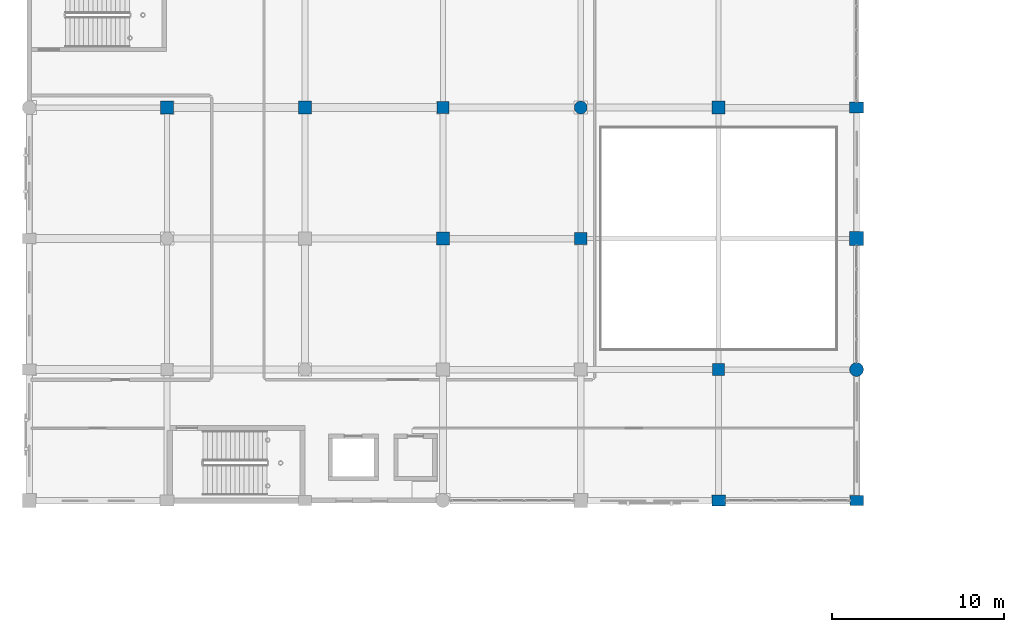
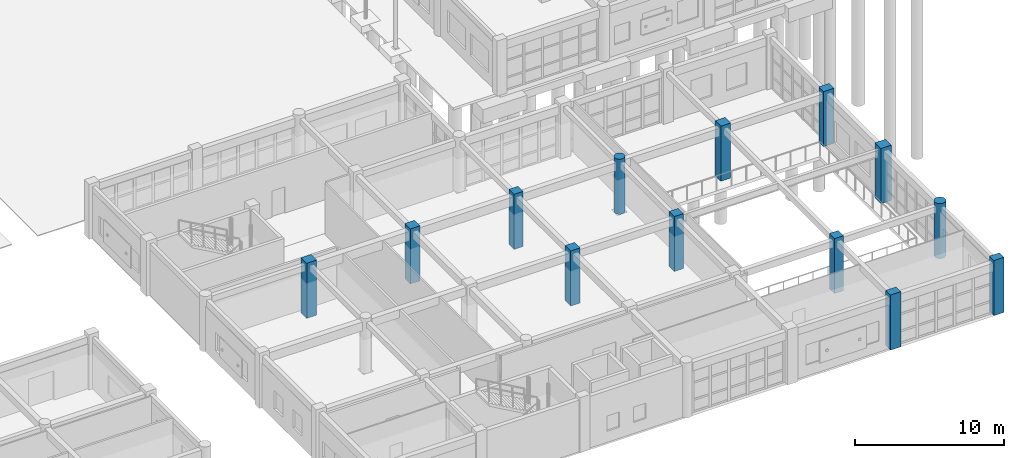
# One storey, part 40 of 166: 13 columns.
"""IFC4 building model written with IfcOpenShell, lengths in metres."""

from ifc_helpers import new_model, si_unit, direction, frame, origin, origin_2d, place, context, subcontext, project, spatial, rectangle, circle, extrude, material, material_profile, profile_set, type_object, element, save


model = new_model("IFC4")

# Units and contexts
model_context = context("Model", 3, precision=1e-05, world=origin(), true_north=direction((0.0, 1.0)))
body_context = subcontext(model_context, "Body", "Model", "MODEL_VIEW")
ifc_project = project(units=[si_unit("LENGTHUNIT", "METRE"), si_unit("AREAUNIT", "SQUARE_METRE"), si_unit("VOLUMEUNIT", "CUBIC_METRE"), si_unit("PLANEANGLEUNIT", "RADIAN"), si_unit("MASSUNIT", "GRAM", prefix="KILO")], contexts=[model_context])

# Site, building, storey
site_placement = place(None, origin())
site = spatial("IfcSite", under=ifc_project, at=site_placement, CompositionType="ELEMENT")
building_placement = place(site_placement, origin())
building = spatial("IfcBuilding", under=site, at=building_placement, Name="Kharva Crest Polytechnic", CompositionType="ELEMENT")
storey_placement = place(building_placement, origin())
storey = spatial("IfcBuildingStorey", under=building, at=storey_placement, Name="L00", CompositionType="ELEMENT", Elevation=0.0)

# Columns
ifc_material = material(Name="Concrete C40/50", Category="concrete")
ifc_material_profile_1 = material_profile(ifc_material, rectangle(XDim=0.780029296875, YDim=0.60009765625, at=origin_2d()), Name="RECT 780 X 600")
ifc_profile_set_1 = profile_set([ifc_material_profile_1], Name="Concrete C40/50")
column_type_1 = type_object("IfcColumnType", Name="COL-EXT-780X600", PredefinedType="COLUMN", material=ifc_profile_set_1)
column_1_placement = place(storey_placement, frame((168.800048828125, 0.0, 0.0), z_axis=(0.0, 0.0, 1.0), x_axis=(1.0, 0.0, 0.0)))
element("IfcColumn", 1, at=column_1_placement, inside=storey, type_object=column_type_1, Name="L00 Column 22/A", PredefinedType="COLUMN", context=body_context, shape_type="SweptSolid", body=[
    extrude(rectangle(XDim=0.780029296875, YDim=0.60009765625, at=origin_2d()), origin(), (0.0, 0.0, 1.0), 4.5),
])
ifc_material_profile_2 = material_profile(ifc_material, rectangle(XDim=0.800048828125, YDim=0.64990234375, at=origin_2d()), Name="RECT 800 X 650")
ifc_profile_set_2 = profile_set([ifc_material_profile_2], Name="Concrete C40/50")
column_type_2 = type_object("IfcColumnType", Name="COL-EXT-800X650", PredefinedType="COLUMN", material=ifc_profile_set_2)
for number, where, z_axis, x_axis, name in (
    (2, (160.800048828125, 0.0, 0.0), (0.0, 0.0, 1.0), (1.0, 0.0, 0.0), "L00 Column 21/A"),
    (3, (168.800048828125, 22.800048828125, 0.0), (0.0, 0.0, 1.0), (1.0, 0.0, 0.0), "L00 Column 22/D"),
):
    element("IfcColumn", number, at=place(storey_placement, frame(where, z_axis=z_axis, x_axis=x_axis)), inside=storey, type_object=column_type_2, Name=name, PredefinedType="COLUMN", context=body_context, shape_type="SweptSolid", body=[
        extrude(rectangle(XDim=0.800048828125, YDim=0.64990234375, at=origin_2d()), origin(), (0.0, 0.0, 1.0), 4.5),
    ])
ifc_material_profile_3 = material_profile(ifc_material, rectangle(XDim=0.800048828125, YDim=0.800048828125, at=origin_2d()), Name="RECT 800 X 800")
ifc_profile_set_3 = profile_set([ifc_material_profile_3], Name="Concrete C40/50")
column_type_3 = type_object("IfcColumnType", Name="COL-EXT-800X800", PredefinedType="COLUMN", material=ifc_profile_set_3)
column_2_placement = place(storey_placement, frame((168.800048828125, 15.199951171875, 0.0), z_axis=(0.0, 0.0, 1.0), x_axis=(1.0, 0.0, 0.0)))
element("IfcColumn", 4, at=column_2_placement, inside=storey, type_object=column_type_3, Name="L00 Column 22/C", PredefinedType="COLUMN", context=body_context, shape_type="SweptSolid", body=[
    extrude(rectangle(XDim=0.800048828125, YDim=0.800048828125, at=origin_2d()), origin(), (0.0, 0.0, 1.0), 4.5),
])
ifc_material_profile_4 = material_profile(ifc_material, circle(Radius=0.39990234375, at=origin_2d()), Name="DIA 800")
ifc_profile_set_4 = profile_set([ifc_material_profile_4], Name="Concrete C40/50")
column_type_4 = type_object("IfcColumnType", Name="COL-EXT-DIA800", PredefinedType="COLUMN", material=ifc_profile_set_4)
column_3_placement = place(storey_placement, frame((168.800048828125, 7.60009765625, 0.0), z_axis=(0.0, 0.0, 1.0), x_axis=(1.0, 0.0, 0.0)))
element("IfcColumn", 5, at=column_3_placement, inside=storey, type_object=column_type_4, Name="L00 Column 22/B", PredefinedType="COLUMN", context=body_context, shape_type="SweptSolid", body=[
    extrude(circle(Radius=0.39990234375, at=origin_2d()), origin(), (0.0, 0.0, 1.0), 4.5),
])
ifc_material_profile_5 = material_profile(ifc_material, rectangle(XDim=0.699951171875, YDim=0.699951171875, at=origin_2d()), Name="RECT 700 X 700")
ifc_profile_set_5 = profile_set([ifc_material_profile_5], Name="Concrete C40/50")
column_type_5 = type_object("IfcColumnType", Name="COL-INT-700X700", PredefinedType="COLUMN", material=ifc_profile_set_5)
for number, where, z_axis, x_axis, name in (
    (6, (144.800048828125, 22.800048828125, 0.0), (0.0, 0.0, 1.0), (1.0, 0.0, 0.0), "L00 Column 19/D"),
    (7, (152.800048828125, 15.199951171875, 0.0), (0.0, 0.0, 1.0), (1.0, 0.0, 0.0), "L00 Column 20/C"),
    (8, (160.800048828125, 7.60009765625, 0.0), (0.0, 0.0, 1.0), (1.0, 0.0, 0.0), "L00 Column 21/B"),
):
    element("IfcColumn", number, at=place(storey_placement, frame(where, z_axis=z_axis, x_axis=x_axis)), inside=storey, type_object=column_type_5, Name=name, PredefinedType="COLUMN", context=body_context, shape_type="SweptSolid", body=[
        extrude(rectangle(XDim=0.699951171875, YDim=0.699951171875, at=origin_2d()), origin(), (0.0, 0.0, 1.0), 4.5),
    ])
ifc_material_profile_6 = material_profile(ifc_material, rectangle(XDim=0.739990234375, YDim=0.739990234375, at=origin_2d()), Name="RECT 740 X 740")
ifc_profile_set_6 = profile_set([ifc_material_profile_6], Name="Concrete C40/50")
column_type_6 = type_object("IfcColumnType", Name="COL-INT-740X740", PredefinedType="COLUMN", material=ifc_profile_set_6)
for number, where, z_axis, x_axis, name in (
    (9, (136.800048828125, 22.800048828125, 0.0), (0.0, 0.0, 1.0), (1.0, 0.0, 0.0), "L00 Column 18/D"),
    (10, (144.800048828125, 15.199951171875, 0.0), (0.0, 0.0, 1.0), (1.0, 0.0, 0.0), "L00 Column 19/C"),
):
    element("IfcColumn", number, at=place(storey_placement, frame(where, z_axis=z_axis, x_axis=x_axis)), inside=storey, type_object=column_type_6, Name=name, PredefinedType="COLUMN", context=body_context, shape_type="SweptSolid", body=[
        extrude(rectangle(XDim=0.739990234375, YDim=0.739990234375, at=origin_2d()), origin(), (0.0, 0.0, 1.0), 4.5),
    ])
ifc_material_profile_7 = material_profile(ifc_material, rectangle(XDim=0.760009765625, YDim=0.760009765625, at=origin_2d()), Name="RECT 760 X 760")
ifc_profile_set_7 = profile_set([ifc_material_profile_7], Name="Concrete C40/50")
column_type_7 = type_object("IfcColumnType", Name="COL-INT-760X760", PredefinedType="COLUMN", material=ifc_profile_set_7)
for number, where, z_axis, x_axis, name in (
    (11, (128.800048828125, 22.800048828125, 0.0), (0.0, 0.0, 1.0), (1.0, 0.0, 0.0), "L00 Column 17/D"),
    (12, (160.800048828125, 22.800048828125, 0.0), (0.0, 0.0, 1.0), (1.0, 0.0, 0.0), "L00 Column 21/D"),
):
    element("IfcColumn", number, at=place(storey_placement, frame(where, z_axis=z_axis, x_axis=x_axis)), inside=storey, type_object=column_type_7, Name=name, PredefinedType="COLUMN", context=body_context, shape_type="SweptSolid", body=[
        extrude(rectangle(XDim=0.760009765625, YDim=0.760009765625, at=origin_2d()), origin(), (0.0, 0.0, 1.0), 4.5),
    ])
ifc_material_profile_8 = material_profile(ifc_material, circle(Radius=0.375, at=origin_2d()), Name="DIA 750")
ifc_profile_set_8 = profile_set([ifc_material_profile_8], Name="Concrete C40/50")
column_type_8 = type_object("IfcColumnType", Name="COL-INT-DIA750", PredefinedType="COLUMN", material=ifc_profile_set_8)
column_4_placement = place(storey_placement, frame((152.800048828125, 22.800048828125, 0.0), z_axis=(0.0, 0.0, 1.0), x_axis=(1.0, 0.0, 0.0)))
element("IfcColumn", 13, at=column_4_placement, inside=storey, type_object=column_type_8, Name="L00 Column 20/D", PredefinedType="COLUMN", context=body_context, shape_type="SweptSolid", body=[
    extrude(circle(Radius=0.375, at=origin_2d()), origin(), (0.0, 0.0, 1.0), 4.5),
])

save(model, "model.ifc")
